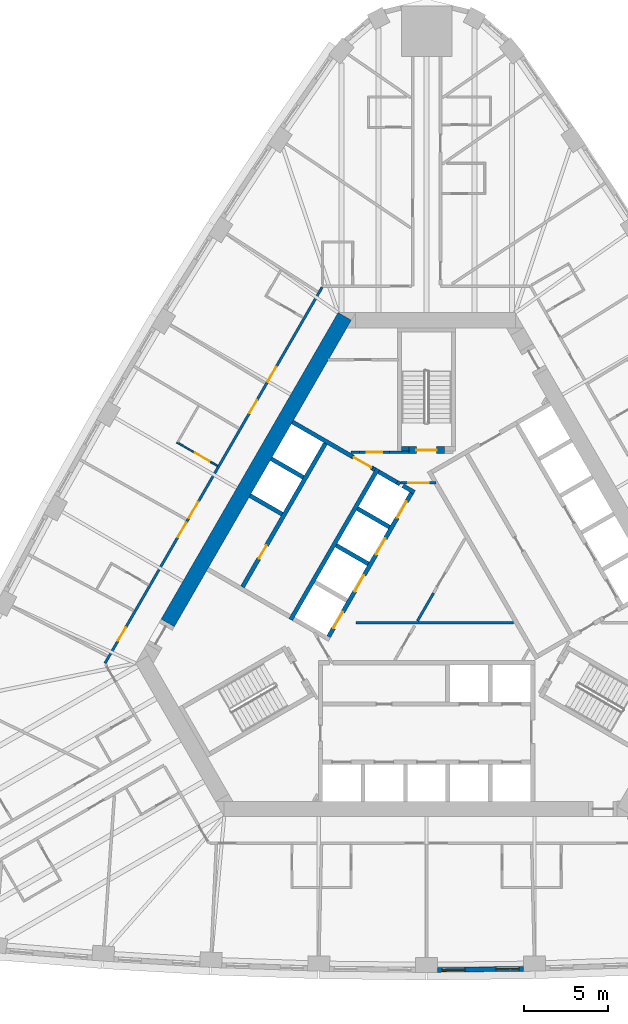
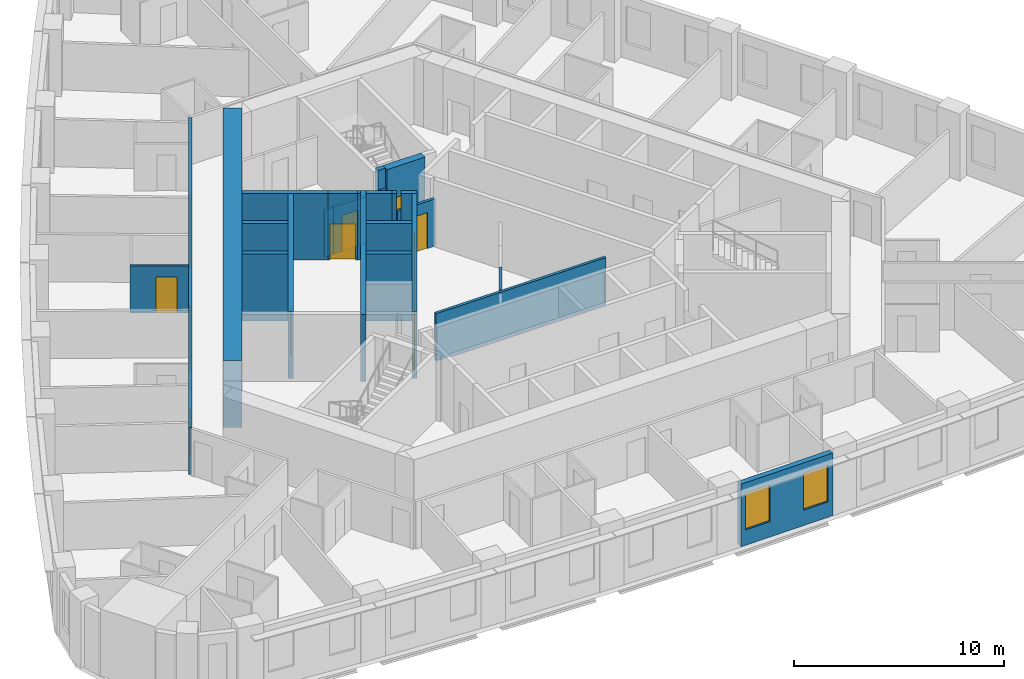
# One storey, part 6 of 13: 25 walls, 15 doors, 2 windows, 17 openings.
"""IFC4 building model written with IfcOpenShell, lengths in metres."""

from ifc_helpers import new_model, si_unit, direction, frame, frame_2d, origin, place, context, subcontext, project, spatial, polyline, rectangle, outline, extrude, material, layer, layer_set, type_object, element, fill, save


model = new_model("IFC4")

# Units and contexts
model_context = context("Model", 3, precision=1e-05, world=origin(), true_north=direction((0.0, 1.0)))
body_context = subcontext(model_context, "Body", "Model", "MODEL_VIEW")
ifc_project = project(units=[si_unit("LENGTHUNIT", "METRE"), si_unit("AREAUNIT", "SQUARE_METRE"), si_unit("VOLUMEUNIT", "CUBIC_METRE"), si_unit("PLANEANGLEUNIT", "RADIAN"), si_unit("MASSUNIT", "GRAM", prefix="KILO")], contexts=[model_context])

# Site, building, storey
site_placement = place(None, origin())
site = spatial("IfcSite", under=ifc_project, at=site_placement, CompositionType="ELEMENT")
building_placement = place(site_placement, origin())
building = spatial("IfcBuilding", under=site, at=building_placement, Name="Mestral Congress Tower", CompositionType="ELEMENT")
storey_placement = place(building_placement, frame((0.0, 0.0, 95.39990234375)))
storey = spatial("IfcBuildingStorey", under=building, at=storey_placement, Name="L22", CompositionType="ELEMENT", Elevation=95.39990234375)

# Walls
ifc_material_1 = material(Name="Fire-rated board partition")
ifc_layer_1 = layer(ifc_material_1, 0.14990234375)
ifc_layer_set_1 = layer_set([ifc_layer_1], Name="Fire-rated board partition")
wall_type_1 = type_object("IfcWallType", Name="Core partition 150", PredefinedType="PARTITIONING", material=ifc_layer_set_1)
wall_1_placement = place(storey_placement, frame((-3.99658203125, 8.625244140625, 0.0), z_axis=(0.0, 0.0, 1.0), x_axis=(-1.0, 0.0, 0.0)))
element("IfcWall", 1, at=wall_1_placement, inside=storey, type_object=wall_type_1, Name="L22 core wall", PredefinedType="PARTITIONING", context=body_context, shape_type="SweptSolid", body=[
    extrude(rectangle(XDim=0.502197265625, YDim=0.14990234375, at=frame_2d((0.2509765625, 0.0))), origin(), (0.0, 0.0, 1.0), 2.75),
])
wall_2_placement = place(storey_placement, frame((-2.1962890625, 8.62548828125, 0.0), z_axis=(0.0, 0.0, 1.0), x_axis=(1.0, 0.0, 0.0)))
element("IfcWall", 2, at=wall_2_placement, inside=storey, type_object=wall_type_1, Name="L22 core wall", PredefinedType="PARTITIONING", context=body_context, shape_type="SweptSolid", body=[
    extrude(rectangle(XDim=1.146240234375, YDim=0.14990234375, at=frame_2d((0.5732421875, 0.0))), origin(), (0.0, 0.0, 1.0), 2.75),
])
wall_3_placement = place(storey_placement, frame((-4.199951171875, -1.5, 0.0), z_axis=(0.0, 0.0, 1.0), x_axis=(1.0, 0.0, 0.0)))
element("IfcWall", 3, at=wall_3_placement, inside=storey, type_object=wall_type_1, Name="L22 core wall", PredefinedType="PARTITIONING", context=body_context, shape_type="SweptSolid", body=[
    extrude(rectangle(XDim=9.359375, YDim=0.14990234375, at=frame_2d((4.6796875, 0.0))), origin(), (0.0, 0.0, 1.0), 2.75),
])
wall_4_placement = place(storey_placement, frame((-0.54443359375, -1.393310546875, 0.0), z_axis=(0.0, 0.0, 1.0), x_axis=(0.499928740635, 0.866066541489, 0.0)))
element("IfcWall", 4, at=wall_4_placement, inside=storey, type_object=wall_type_1, Name="L22 core wall", PredefinedType="PARTITIONING", context=body_context, shape_type="SweptSolid", body=[
    extrude(rectangle(XDim=1.912353515625, YDim=0.14990234375, at=frame_2d((0.9560546875, 0.0))), origin(), (0.0, 0.0, 1.0), 2.75),
])

# Wall, opening, door
wall_5_placement = place(storey_placement, frame((-2.1962890625, 8.625, 0.0), z_axis=(0.0, 0.0, 1.0), x_axis=(-1.0, 0.0, 0.0)))
wall_5 = element("IfcWall", 5, at=wall_5_placement, inside=storey, type_object=wall_type_1, Name="L22 door wall", PredefinedType="PARTITIONING", context=body_context, shape_type="SweptSolid", body=[
    extrude(rectangle(XDim=1.800048828125, YDim=0.14990234375, at=frame_2d((0.89990234375, 0.0))), origin(), (0.0, 0.0, 1.0), 2.75),
])
opening_1_placement = place(wall_5_placement, frame((0.449951171875, 0.0, 0.0)))
opening_1 = element("IfcOpeningElement", 6, at=opening_1_placement, cuts=wall_5, Name="Opening TD2", PredefinedType="OPENING", context=body_context, shape_type="SweptSolid", body=[
    extrude(rectangle(XDim=0.89990234375, YDim=2.10009765625, at=frame_2d((0.449951171875, 1.050048828125))), frame((0.0, 0.0849609375, 0.0), z_axis=(0.0, -1.0, 0.0), x_axis=(1.0, 0.0, 0.0)), (0.0, 0.0, 1.0), 0.169921875),
])
ifc_material_2 = material(Name="Fire-rated steel door set", Category="steel")
door_type_1 = type_object("IfcDoorType", Name="Core door SR 900x2100", OperationType="SINGLE_SWING_LEFT", PredefinedType="DOOR", material=ifc_material_2)
door_1_placement = place(opening_1_placement, origin())
door_1 = element("IfcDoor", 7, at=door_1_placement, inside=storey, type_object=door_type_1, Name="Door TD2", OperationType="SINGLE_SWING_LEFT", OverallHeight=2.10009765625, OverallWidth=0.89990234375, PredefinedType="DOOR", context=body_context, shape_type="SweptSolid", body=[
    extrude(rectangle(XDim=0.89990234375, YDim=2.10009765625, at=frame_2d((0.449951171875, 1.050048828125))), frame((0.0, 0.02490234375, 0.0), z_axis=(0.0, -1.0, 0.0), x_axis=(1.0, 0.0, 0.0)), (0.0, 0.0, 1.0), 0.050048828125),
])
fill(opening_1, door_1)

wall_6_placement = place(storey_placement, frame((-1.534423828125, 6.800048828125, 0.0), z_axis=(0.0, 0.0, 1.0), x_axis=(1.0, 0.0, 0.0)))
wall_6 = element("IfcWall", 8, at=wall_6_placement, inside=storey, type_object=wall_type_1, Name="L22 door wall", PredefinedType="PARTITIONING", context=body_context, shape_type="SweptSolid", body=[
    extrude(rectangle(XDim=2.099853515625, YDim=0.14990234375, at=frame_2d((1.0498046875, 0.0))), origin(), (0.0, 0.0, 1.0), 2.75),
])
opening_2_placement = place(wall_6_placement, frame((0.449951171875, 0.0, 0.0)))
opening_2 = element("IfcOpeningElement", 9, at=opening_2_placement, cuts=wall_6, Name="Opening CD2-FF", PredefinedType="OPENING", context=body_context, shape_type="SweptSolid", body=[
    extrude(rectangle(XDim=1.199951171875, YDim=2.10009765625, at=frame_2d((0.60009765625, 1.050048828125))), frame((0.0, 0.0849609375, 0.0), z_axis=(0.0, -1.0, 0.0), x_axis=(1.0, 0.0, 0.0)), (0.0, 0.0, 1.0), 0.169921875),
])
door_type_2 = type_object("IfcDoorType", Name="Core door CD 1200x2100", OperationType="SINGLE_SWING_LEFT", PredefinedType="DOOR", material=ifc_material_2)
door_2_placement = place(opening_2_placement, origin())
door_2 = element("IfcDoor", 10, at=door_2_placement, inside=storey, type_object=door_type_2, Name="Door CD2-FF", OperationType="SINGLE_SWING_LEFT", OverallHeight=2.10009765625, OverallWidth=1.199951171875, PredefinedType="DOOR", context=body_context, shape_type="SweptSolid", body=[
    extrude(rectangle(XDim=1.199951171875, YDim=2.10009765625, at=frame_2d((0.60009765625, 1.050048828125))), frame((0.0, 0.02490234375, 0.0), z_axis=(0.0, -1.0, 0.0), x_axis=(1.0, 0.0, 0.0)), (0.0, 0.0, 1.0), 0.050048828125),
])
fill(opening_2, door_2)

# Wall
ifc_material_3 = material(Name="Concrete C60/75", Category="concrete")
ifc_layer_2 = layer(ifc_material_3, 0.89990234375)
ifc_layer_set_2 = layer_set([ifc_layer_2], Name="Concrete C60/75")
wall_type_2 = type_object("IfcWallType", Name="Core wall RC 900", PredefinedType="SOLIDWALL", material=ifc_layer_set_2)
wall_7_placement = place(storey_placement, frame((-15.359619140625, -1.50341796875, 0.0), z_axis=(0.0, 0.0, 1.0), x_axis=(0.50000389221, 0.866023156604, 0.0)))
element("IfcWall", 11, at=wall_7_placement, inside=storey, type_object=wall_type_2, Name="L22 core wall", PredefinedType="SOLIDWALL", context=body_context, shape_type="SweptSolid", body=[
    extrude(rectangle(XDim=21.000244140625, YDim=0.89990234375, at=frame_2d((10.5, 0.0))), origin(), (0.0, 0.0, 1.0), 3.900146484375),
])

# Wall, openings, windows
ifc_material_4 = material(Name="Precast concrete C40/50 with limestone facing", Category="masonry")
ifc_layer_3 = layer(ifc_material_4, 0.2900390625)
ifc_layer_set_3 = layer_set([ifc_layer_3], Name="Precast concrete C40/50 with limestone facing")
wall_type_3 = type_object("IfcWallType", Name="Facade stone wall 290", PredefinedType="SOLIDWALL", material=ifc_layer_set_3)
wall_8_placement = place(storey_placement, frame((0.6533203125, -22.091064453125, 0.0), z_axis=(0.0, 0.0, 1.0), x_axis=(0.999931786565, 0.011679992145, 0.0)))
wall_8 = element("IfcWall", 12, at=wall_8_placement, inside=storey, type_object=wall_type_3, Name="Facade wall F0-04", PredefinedType="SOLIDWALL", context=body_context, shape_type="SweptSolid", body=[
    extrude(rectangle(XDim=5.10009765625, YDim=0.2900390625, at=frame_2d((2.550048828125, 0.0))), origin(), (0.0, 0.0, 1.0), 3.650146484375),
])
opening_3_placement = place(wall_8_placement, frame((0.272705078125, 0.0, 0.89990234375)))
opening_3 = element("IfcOpeningElement", 13, at=opening_3_placement, cuts=wall_8, Name="Opening W2", PredefinedType="OPENING", context=body_context, shape_type="SweptSolid", body=[
    extrude(rectangle(XDim=1.35009765625, YDim=2.14990234375, at=frame_2d((0.675048828125, 1.074951171875))), frame((0.0, 0.155029296875, 0.0), z_axis=(0.0, -1.0, 0.0), x_axis=(1.0, 0.0, 0.0)), (0.0, 0.0, 1.0), 0.31005859375),
])
opening_4_placement = place(wall_8_placement, frame((3.477783203125, 0.0, 0.89990234375)))
opening_4 = element("IfcOpeningElement", 14, at=opening_4_placement, cuts=wall_8, Name="Opening W2", PredefinedType="OPENING", context=body_context, shape_type="SweptSolid", body=[
    extrude(rectangle(XDim=1.35009765625, YDim=2.14990234375, at=frame_2d((0.675048828125, 1.074951171875))), frame((0.0, 0.155029296875, 0.0), z_axis=(0.0, -1.0, 0.0), x_axis=(1.0, 0.0, 0.0)), (0.0, 0.0, 1.0), 0.31005859375),
])
ifc_material_5 = material(Name="Clear low-emissivity double glazing", Category="glass")
window_type = type_object("IfcWindowType", Name="Facade punched window 1350 x 2150 sill 900", PartitioningType="DOUBLE_PANEL_VERTICAL", PredefinedType="WINDOW", material=ifc_material_5)
window_1_placement = place(opening_3_placement, origin())
window_1 = element("IfcWindow", 15, at=window_1_placement, inside=storey, type_object=window_type, Name="Window F0-04a", OverallHeight=2.14990234375, OverallWidth=1.35009765625, PartitioningType="DOUBLE_PANEL_VERTICAL", PredefinedType="WINDOW", context=body_context, shape_type="SweptSolid", body=[
    extrude(rectangle(XDim=1.35009765625, YDim=2.14990234375, at=frame_2d((0.675048828125, 1.074951171875))), frame((0.0, 0.01513671875, 0.0), z_axis=(0.0, -1.0, 0.0), x_axis=(1.0, 0.0, 0.0)), (0.0, 0.0, 1.0), 0.06005859375),
])
fill(opening_3, window_1)
window_2_placement = place(opening_4_placement, origin())
window_2 = element("IfcWindow", 16, at=window_2_placement, inside=storey, type_object=window_type, Name="Window F0-04b", OverallHeight=2.14990234375, OverallWidth=1.35009765625, PartitioningType="DOUBLE_PANEL_VERTICAL", PredefinedType="WINDOW", context=body_context, shape_type="SweptSolid", body=[
    extrude(rectangle(XDim=1.35009765625, YDim=2.14990234375, at=frame_2d((0.675048828125, 1.074951171875))), frame((0.0, 0.01513671875, 0.0), z_axis=(0.0, -1.0, 0.0), x_axis=(1.0, 0.0, 0.0)), (0.0, 0.0, 1.0), 0.06005859375),
])
fill(opening_4, window_2)

# Wall, opening, door
ifc_material_6 = material(Name="Gypsum board partition on metal studs with mineral wool", Category="composite")
ifc_layer_4 = layer(ifc_material_6, 0.10009765625)
ifc_layer_set_4 = layer_set([ifc_layer_4], Name="Gypsum board partition on metal studs with mineral wool")
wall_type_4 = type_object("IfcWallType", Name="Hotel partition wall 100", PredefinedType="PARTITIONING", material=ifc_layer_set_4)
wall_9_placement = place(storey_placement, frame((-14.830322265625, 9.213134765625, 0.0), z_axis=(0.0, 0.0, 1.0), x_axis=(0.866034573852, -0.49998411664, 0.0)))
wall_9 = element("IfcWall", 17, at=wall_9_placement, inside=storey, type_object=wall_type_4, Name="L22-h-pod22a", PredefinedType="PARTITIONING", context=body_context, shape_type="SweptSolid", body=[
    extrude(rectangle(XDim=2.7998046875, YDim=0.10009765625, at=frame_2d((1.39990234375, 0.0))), origin(), (0.0, 0.0, 1.0), 2.75),
])
opening_5_placement = place(wall_9_placement, frame((1.25, 0.0, 0.0)))
opening_5 = element("IfcOpeningElement", 18, at=opening_5_placement, cuts=wall_9, Name="Opening H07-042", PredefinedType="OPENING", context=body_context, shape_type="SweptSolid", body=[
    extrude(rectangle(XDim=1.0, YDim=2.10009765625, at=frame_2d((0.5, 1.050048828125))), frame((0.0, 0.06005859375, 0.0), z_axis=(0.0, -1.0, 0.0), x_axis=(1.0, 0.0, 0.0)), (0.0, 0.0, 1.0), 0.1201171875),
])
ifc_material_7 = material(Name="Timber veneer door leaf in timber frame", Category="wood")
door_type_3 = type_object("IfcDoorType", Name="Accessible bathroom door 1000", OperationType="SINGLE_SWING_LEFT", PredefinedType="DOOR", material=ifc_material_7)
door_3_placement = place(opening_5_placement, origin())
door_3 = element("IfcDoor", 19, at=door_3_placement, inside=storey, type_object=door_type_3, Name="L22-h-d042", OperationType="SINGLE_SWING_LEFT", OverallHeight=2.10009765625, OverallWidth=1.0, PredefinedType="DOOR", context=body_context, shape_type="SweptSolid", body=[
    extrude(rectangle(XDim=1.0, YDim=2.10009765625, at=frame_2d((0.5, 1.050048828125))), frame((0.0, 0.02490234375, 0.0), z_axis=(0.0, -1.0, 0.0), x_axis=(1.0, 0.0, 0.0)), (0.0, 0.0, 1.0), 0.050048828125),
])
fill(opening_5, door_3)

# Wall, openings, doors
ifc_layer_5 = layer(ifc_material_6, 0.14990234375)
ifc_layer_set_5 = layer_set([ifc_layer_5], Name="Gypsum board partition on metal studs with mineral wool")
wall_type_5 = type_object("IfcWallType", Name="Hotel partition wall 150", PredefinedType="PARTITIONING", material=ifc_layer_set_5)
wall_10_placement = place(storey_placement, frame((-19.081298828125, -3.89990234375, 0.0), z_axis=(0.0, 0.0, 1.0), x_axis=(0.499998313975, 0.866026377209, 0.0)))
wall_10 = element("IfcWall", 20, at=wall_10_placement, inside=storey, type_object=wall_type_5, Name="L22-h-cw08", PredefinedType="PARTITIONING", context=body_context, shape_type="SweptSolid", body=[
    extrude(rectangle(XDim=25.76611328125, YDim=0.14990234375, at=frame_2d((12.883056640625, 0.0))), origin(), (0.0, 0.0, 1.0), 2.75),
])
opening_6_placement = place(wall_10_placement, frame((19.30615234375, 0.0, 0.0)))
opening_6 = element("IfcOpeningElement", 21, at=opening_6_placement, cuts=wall_10, Name="Opening H07-038", PredefinedType="OPENING", context=body_context, shape_type="SweptSolid", body=[
    extrude(rectangle(XDim=1.0, YDim=2.10009765625, at=frame_2d((0.5, 1.050048828125))), frame((0.0, 0.0849609375, 0.0), z_axis=(0.0, -1.0, 0.0), x_axis=(1.0, 0.0, 0.0)), (0.0, 0.0, 1.0), 0.169921875),
])
opening_7_placement = place(wall_10_placement, frame((17.143798828125, 0.0, 0.0)))
opening_7 = element("IfcOpeningElement", 22, at=opening_7_placement, cuts=wall_10, Name="Opening H07-040", PredefinedType="OPENING", context=body_context, shape_type="SweptSolid", body=[
    extrude(rectangle(XDim=0.89990234375, YDim=2.10009765625, at=frame_2d((0.449951171875, 1.050048828125))), frame((0.0, 0.0849609375, 0.0), z_axis=(0.0, -1.0, 0.0), x_axis=(1.0, 0.0, 0.0)), (0.0, 0.0, 1.0), 0.169921875),
])
opening_8_placement = place(wall_10_placement, frame((9.955078125, 0.0, 0.0)))
opening_8 = element("IfcOpeningElement", 23, at=opening_8_placement, cuts=wall_10, Name="Opening H07-041", PredefinedType="OPENING", context=body_context, shape_type="SweptSolid", body=[
    extrude(rectangle(XDim=1.10009765625, YDim=2.10009765625, at=frame_2d((0.550048828125, 1.050048828125))), frame((0.0, 0.0849609375, 0.0), z_axis=(0.0, -1.0, 0.0), x_axis=(1.0, 0.0, 0.0)), (0.0, 0.0, 1.0), 0.169921875),
])
opening_9_placement = place(wall_10_placement, frame((8.647705078125, 0.0, 0.0)))
opening_9 = element("IfcOpeningElement", 24, at=opening_9_placement, cuts=wall_10, Name="Opening H07-043", PredefinedType="OPENING", context=body_context, shape_type="SweptSolid", body=[
    extrude(rectangle(XDim=1.0, YDim=2.10009765625, at=frame_2d((0.5, 1.050048828125))), frame((0.0, 0.0849609375, 0.0), z_axis=(0.0, -1.0, 0.0), x_axis=(1.0, 0.0, 0.0)), (0.0, 0.0, 1.0), 0.169921875),
])
opening_10_placement = place(wall_10_placement, frame((1.553466796875, 0.0, 0.0)))
opening_10 = element("IfcOpeningElement", 25, at=opening_10_placement, cuts=wall_10, Name="Opening H07-045", PredefinedType="OPENING", context=body_context, shape_type="SweptSolid", body=[
    extrude(rectangle(XDim=0.89990234375, YDim=2.10009765625, at=frame_2d((0.449951171875, 1.050048828125))), frame((0.0, 0.0849609375, 0.0), z_axis=(0.0, -1.0, 0.0), x_axis=(1.0, 0.0, 0.0)), (0.0, 0.0, 1.0), 0.169921875),
])
ifc_material_8 = material(Name="Timber veneer door leaf in metal frame", Category="wood")
door_type_4 = type_object("IfcDoorType", Name="Accessible room entrance door 1100", OperationType="SINGLE_SWING_LEFT", PredefinedType="DOOR", material=ifc_material_8)
door_4_placement = place(opening_8_placement, origin())
door_4 = element("IfcDoor", 26, at=door_4_placement, inside=storey, type_object=door_type_4, Name="L22-h-d041", OperationType="SINGLE_SWING_LEFT", OverallHeight=2.10009765625, OverallWidth=1.10009765625, PredefinedType="DOOR", context=body_context, shape_type="SweptSolid", body=[
    extrude(rectangle(XDim=1.10009765625, YDim=2.10009765625, at=frame_2d((0.550048828125, 1.050048828125))), frame((0.0, 0.02490234375, 0.0), z_axis=(0.0, -1.0, 0.0), x_axis=(1.0, 0.0, 0.0)), (0.0, 0.0, 1.0), 0.050048828125),
])
fill(opening_8, door_4)
door_type_5 = type_object("IfcDoorType", Name="Guest room entrance door 1000", OperationType="SINGLE_SWING_LEFT", PredefinedType="DOOR", material=ifc_material_8)
door_5_placement = place(opening_6_placement, origin())
door_5 = element("IfcDoor", 27, at=door_5_placement, inside=storey, type_object=door_type_5, Name="L22-h-d038", OperationType="SINGLE_SWING_LEFT", OverallHeight=2.10009765625, OverallWidth=1.0, PredefinedType="DOOR", context=body_context, shape_type="SweptSolid", body=[
    extrude(rectangle(XDim=1.0, YDim=2.10009765625, at=frame_2d((0.5, 1.050048828125))), frame((0.0, 0.02490234375, 0.0), z_axis=(0.0, -1.0, 0.0), x_axis=(1.0, 0.0, 0.0)), (0.0, 0.0, 1.0), 0.050048828125),
])
fill(opening_6, door_5)
door_6_placement = place(opening_9_placement, origin())
door_6 = element("IfcDoor", 28, at=door_6_placement, inside=storey, type_object=door_type_5, Name="L22-h-d043", OperationType="SINGLE_SWING_RIGHT", OverallHeight=2.10009765625, OverallWidth=1.0, PredefinedType="DOOR", context=body_context, shape_type="SweptSolid", body=[
    extrude(rectangle(XDim=1.0, YDim=2.10009765625, at=frame_2d((0.5, 1.050048828125))), frame((0.0, 0.02490234375, 0.0), z_axis=(0.0, -1.0, 0.0), x_axis=(1.0, 0.0, 0.0)), (0.0, 0.0, 1.0), 0.050048828125),
])
fill(opening_9, door_6)
door_type_6 = type_object("IfcDoorType", Name="Service room door 900", OperationType="SINGLE_SWING_LEFT", PredefinedType="DOOR", material=ifc_material_8)
door_7_placement = place(opening_7_placement, origin())
door_7 = element("IfcDoor", 29, at=door_7_placement, inside=storey, type_object=door_type_6, Name="L22-h-d040", OperationType="SINGLE_SWING_LEFT", OverallHeight=2.10009765625, OverallWidth=0.89990234375, PredefinedType="DOOR", context=body_context, shape_type="SweptSolid", body=[
    extrude(rectangle(XDim=0.89990234375, YDim=2.10009765625, at=frame_2d((0.449951171875, 1.050048828125))), frame((0.0, 0.02490234375, 0.0), z_axis=(0.0, -1.0, 0.0), x_axis=(1.0, 0.0, 0.0)), (0.0, 0.0, 1.0), 0.050048828125),
])
fill(opening_7, door_7)
door_8_placement = place(opening_10_placement, origin())
door_8 = element("IfcDoor", 30, at=door_8_placement, inside=storey, type_object=door_type_6, Name="L22-h-d045", OperationType="SINGLE_SWING_RIGHT", OverallHeight=2.10009765625, OverallWidth=0.89990234375, PredefinedType="DOOR", context=body_context, shape_type="SweptSolid", body=[
    extrude(rectangle(XDim=0.89990234375, YDim=2.10009765625, at=frame_2d((0.449951171875, 1.050048828125))), frame((0.0, 0.02490234375, 0.0), z_axis=(0.0, -1.0, 0.0), x_axis=(1.0, 0.0, 0.0)), (0.0, 0.0, 1.0), 0.050048828125),
])
fill(opening_10, door_8)

# Walls
ifc_layer_6 = layer(ifc_material_3, 0.25)
ifc_layer_set_6 = layer_set([ifc_layer_6], Name="Concrete C60/75")
wall_type_6 = type_object("IfcWallType", Name="Shaft wall RC 250", PredefinedType="SOLIDWALL", material=ifc_layer_set_6)
wall_11_placement = place(storey_placement, frame((-8.06005859375, -1.310546875, 0.0), z_axis=(0.0, 0.0, 1.0), x_axis=(0.50000273126, 0.866023826885, 0.0)))
element("IfcWall", 31, at=wall_11_placement, inside=storey, type_object=wall_type_6, Name="L22 core wall", PredefinedType="SOLIDWALL", context=body_context, shape_type="SweptSolid", body=[
    extrude(rectangle(XDim=10.330078125, YDim=0.25, at=frame_2d((5.1650390625, 0.0))), origin(), (0.0, 0.0, 1.0), 3.900146484375),
])
wall_12_placement = place(storey_placement, frame((-1.75830078125, 6.834716796875, 0.0), z_axis=(0.0, 0.0, 1.0), x_axis=(0.865982457891, -0.500074377092, 0.0)))
element("IfcWall", 32, at=wall_12_placement, inside=storey, type_object=wall_type_6, Name="L22 core wall", PredefinedType="SOLIDWALL", context=body_context, shape_type="SweptSolid", body=[
    extrude(rectangle(XDim=0.2001953125, YDim=0.25, at=frame_2d((0.10009765625, 0.0))), origin(), (0.0, 0.0, 1.0), 3.900146484375),
])
wall_13_placement = place(storey_placement, frame((-1.760009765625, 6.835693359375, 0.0), z_axis=(0.0, 0.0, 1.0), x_axis=(-0.865952863304, 0.500125622755, 0.0)))
element("IfcWall", 33, at=wall_13_placement, inside=storey, type_object=wall_type_6, Name="L22 core wall", PredefinedType="SOLIDWALL", context=body_context, shape_type="SweptSolid", body=[
    extrude(rectangle(XDim=1.258056640625, YDim=0.25, at=frame_2d((0.62890625, 0.0))), origin(), (0.0, 0.0, 1.0), 3.900146484375),
])
wall_14_placement = place(storey_placement, frame((-0.7275390625, 6.23974609375, 0.0), z_axis=(0.0, 0.0, 1.0), x_axis=(-0.865955664968, 0.500120771724, 0.0)))
element("IfcWall", 34, at=wall_14_placement, inside=storey, type_object=wall_type_6, Name="L22 core wall", PredefinedType="SOLIDWALL", context=body_context, shape_type="SweptSolid", body=[
    extrude(rectangle(XDim=0.778076171875, YDim=0.25, at=frame_2d((0.38916015625, 0.0))), origin(), (0.0, 0.0, 1.0), 3.900146484375),
])
for number, where, z_axis, x_axis, name in (
    (35, (-2.2041015625, 4.182373046875, 0.0), (0.0, 0.0, 1.0), (-0.866008176907, 0.50002983664, 0.0), "L22 core wall"),
    (36, (-5.369384765625, 3.10009765625, 0.0), (0.0, 0.0, 1.0), (0.866008176907, -0.50002983664, 0.0), "L22 core wall"),
):
    element("IfcWall", number, at=place(storey_placement, frame(where, z_axis=z_axis, x_axis=x_axis)), inside=storey, type_object=wall_type_6, Name=name, PredefinedType="SOLIDWALL", context=body_context, shape_type="SweptSolid", body=[
        extrude(rectangle(XDim=2.199951171875, YDim=0.25, at=frame_2d((1.10009765625, 0.0))), origin(), (0.0, 0.0, 1.0), 3.900146484375),
    ])
wall_15_placement = place(storey_placement, origin())
element("IfcWall", 37, at=wall_15_placement, inside=storey, type_object=wall_type_6, Name="L22 core wall", PredefinedType="SOLIDWALL", context=body_context, shape_type="SweptSolid", body=[
    extrude(outline(polyline([(-3.12841796875, 7.4814453125), (-3.2587890625, 7.556640625), (-3.1337890625, 7.773193359375), (-3.00341796875, 7.697998046875), (-3.12841796875, 7.4814453125)])), origin(), (0.0, 0.0, 1.0), 3.900146484375),
])
for number, where, z_axis, x_axis, name in (
    (38, (-8.57373046875, 4.949951171875, 0.0), (0.0, 0.0, 1.0), (-0.866008176907, 0.50002983664, 0.0), "L22 core wall"),
    (39, (-7.313720703125, 7.13232421875, 0.0), (0.0, 0.0, 1.0), (-0.866008176907, 0.50002983664, 0.0), "L22 core wall"),
):
    element("IfcWall", number, at=place(storey_placement, frame(where, z_axis=z_axis, x_axis=x_axis)), inside=storey, type_object=wall_type_6, Name=name, PredefinedType="SOLIDWALL", context=body_context, shape_type="SweptSolid", body=[
        extrude(rectangle(XDim=2.199951171875, YDim=0.25, at=frame_2d((1.10009765625, 0.0))), origin(), (0.0, 0.0, 1.0), 3.900146484375),
    ])
wall_16_placement = place(storey_placement, frame((-7.958984375, 10.414794921875, 0.0), z_axis=(0.0, 0.0, 1.0), x_axis=(0.866020958405, -0.500007699544, 0.0)))
element("IfcWall", 40, at=wall_16_placement, inside=storey, type_object=wall_type_6, Name="L22 core wall", PredefinedType="SOLIDWALL", context=body_context, shape_type="SweptSolid", body=[
    extrude(rectangle(XDim=4.099609375, YDim=0.25, at=frame_2d((2.0498046875, 0.0))), origin(), (0.0, 0.0, 1.0), 3.900146484375),
])

# Wall, opening, door
wall_17_placement = place(storey_placement, frame((-6.0078125, 9.14404296875, 0.0), z_axis=(0.0, 0.0, 1.0), x_axis=(-0.500006956611, -0.866021387346, 0.0)))
wall_17 = element("IfcWall", 41, at=wall_17_placement, inside=storey, type_object=wall_type_6, Name="L22 door wall", PredefinedType="SOLIDWALL", context=body_context, shape_type="SweptSolid", body=[
    extrude(rectangle(XDim=9.829833984375, YDim=0.25, at=frame_2d((4.9150390625, 0.0))), origin(), (0.0, 0.0, 1.0), 3.900146484375),
])
opening_11_placement = place(wall_17_placement, frame((6.985107421875, 0.0, 0.0)))
opening_11 = element("IfcOpeningElement", 42, at=opening_11_placement, cuts=wall_17, Name="Opening SR-NWA2", PredefinedType="OPENING", context=body_context, shape_type="SweptSolid", body=[
    extrude(rectangle(XDim=0.89990234375, YDim=2.10009765625, at=frame_2d((0.449951171875, 1.050048828125))), frame((0.0, 0.135009765625, 0.0), z_axis=(0.0, -1.0, 0.0), x_axis=(1.0, 0.0, 0.0)), (0.0, 0.0, 1.0), 0.27001953125),
])
door_9_placement = place(opening_11_placement, origin())
door_9 = element("IfcDoor", 43, at=door_9_placement, inside=storey, type_object=door_type_1, Name="Door SR-NWA2", OperationType="SINGLE_SWING_LEFT", OverallHeight=2.10009765625, OverallWidth=0.89990234375, PredefinedType="DOOR", context=body_context, shape_type="SweptSolid", body=[
    extrude(rectangle(XDim=0.89990234375, YDim=2.10009765625, at=frame_2d((0.449951171875, 1.050048828125))), frame((0.0, 0.02490234375, 0.0), z_axis=(0.0, -1.0, 0.0), x_axis=(1.0, 0.0, 0.0)), (0.0, 0.0, 1.0), 0.050048828125),
])
fill(opening_11, door_9)

# Wall, openings, doors
wall_18_placement = place(storey_placement, frame((-0.898193359375, 6.194091796875, 0.0), z_axis=(0.0, 0.0, 1.0), x_axis=(-0.499996202215, -0.866027596426, 0.0)))
wall_18 = element("IfcWall", 44, at=wall_18_placement, inside=storey, type_object=wall_type_6, Name="L22 door wall", PredefinedType="SOLIDWALL", context=body_context, shape_type="SweptSolid", body=[
    extrude(rectangle(XDim=9.830078125, YDim=0.25, at=frame_2d((4.9150390625, 0.0))), origin(), (0.0, 0.0, 1.0), 3.900146484375),
])
opening_12_placement = place(wall_18_placement, frame((0.5849609375, 0.0, 0.0)))
opening_12 = element("IfcOpeningElement", 45, at=opening_12_placement, cuts=wall_18, Name="Opening LD-NWB1", PredefinedType="OPENING", context=body_context, shape_type="SweptSolid", body=[
    extrude(rectangle(XDim=1.10009765625, YDim=2.10009765625, at=frame_2d((0.550048828125, 1.050048828125))), frame((0.0, 0.135009765625, 0.0), z_axis=(0.0, -1.0, 0.0), x_axis=(1.0, 0.0, 0.0)), (0.0, 0.0, 1.0), 0.27001953125),
])
opening_13_placement = place(wall_18_placement, frame((3.10498046875, 0.0, 0.0)))
opening_13 = element("IfcOpeningElement", 46, at=opening_13_placement, cuts=wall_18, Name="Opening LD-NWB2", PredefinedType="OPENING", context=body_context, shape_type="SweptSolid", body=[
    extrude(rectangle(XDim=1.10009765625, YDim=2.10009765625, at=frame_2d((0.550048828125, 1.050048828125))), frame((0.0, 0.135009765625, 0.0), z_axis=(0.0, -1.0, 0.0), x_axis=(1.0, 0.0, 0.0)), (0.0, 0.0, 1.0), 0.27001953125),
])
opening_14_placement = place(wall_18_placement, frame((5.625, 0.0, 0.0)))
opening_14 = element("IfcOpeningElement", 47, at=opening_14_placement, cuts=wall_18, Name="Opening LD-NWB3", PredefinedType="OPENING", context=body_context, shape_type="SweptSolid", body=[
    extrude(rectangle(XDim=1.10009765625, YDim=2.10009765625, at=frame_2d((0.550048828125, 1.050048828125))), frame((0.0, 0.135009765625, 0.0), z_axis=(0.0, -1.0, 0.0), x_axis=(1.0, 0.0, 0.0)), (0.0, 0.0, 1.0), 0.27001953125),
])
opening_15_placement = place(wall_18_placement, frame((8.14501953125, 0.0, 0.0)))
opening_15 = element("IfcOpeningElement", 48, at=opening_15_placement, cuts=wall_18, Name="Opening LD-NWB4", PredefinedType="OPENING", context=body_context, shape_type="SweptSolid", body=[
    extrude(rectangle(XDim=1.10009765625, YDim=2.10009765625, at=frame_2d((0.550048828125, 1.050048828125))), frame((0.0, 0.135009765625, 0.0), z_axis=(0.0, -1.0, 0.0), x_axis=(1.0, 0.0, 0.0)), (0.0, 0.0, 1.0), 0.27001953125),
])
door_type_7 = type_object("IfcDoorType", Name="Core door LD 1100x2100", OperationType="DOUBLE_DOOR_SLIDING", PredefinedType="DOOR", material=ifc_material_2)
door_10_placement = place(opening_12_placement, origin())
door_10 = element("IfcDoor", 49, at=door_10_placement, inside=storey, type_object=door_type_7, Name="Door LD-NWB1", OperationType="DOUBLE_DOOR_SLIDING", OverallHeight=2.10009765625, OverallWidth=1.10009765625, PredefinedType="DOOR", context=body_context, shape_type="SweptSolid", body=[
    extrude(rectangle(XDim=1.10009765625, YDim=2.10009765625, at=frame_2d((0.550048828125, 1.050048828125))), frame((0.0, 0.02490234375, 0.0), z_axis=(0.0, -1.0, 0.0), x_axis=(1.0, 0.0, 0.0)), (0.0, 0.0, 1.0), 0.050048828125),
])
fill(opening_12, door_10)
door_11_placement = place(opening_13_placement, origin())
door_11 = element("IfcDoor", 50, at=door_11_placement, inside=storey, type_object=door_type_7, Name="Door LD-NWB2", OperationType="DOUBLE_DOOR_SLIDING", OverallHeight=2.10009765625, OverallWidth=1.10009765625, PredefinedType="DOOR", context=body_context, shape_type="SweptSolid", body=[
    extrude(rectangle(XDim=1.10009765625, YDim=2.10009765625, at=frame_2d((0.550048828125, 1.050048828125))), frame((0.0, 0.02490234375, 0.0), z_axis=(0.0, -1.0, 0.0), x_axis=(1.0, 0.0, 0.0)), (0.0, 0.0, 1.0), 0.050048828125),
])
fill(opening_13, door_11)
door_12_placement = place(opening_14_placement, origin())
door_12 = element("IfcDoor", 51, at=door_12_placement, inside=storey, type_object=door_type_7, Name="Door LD-NWB3", OperationType="DOUBLE_DOOR_SLIDING", OverallHeight=2.10009765625, OverallWidth=1.10009765625, PredefinedType="DOOR", context=body_context, shape_type="SweptSolid", body=[
    extrude(rectangle(XDim=1.10009765625, YDim=2.10009765625, at=frame_2d((0.550048828125, 1.050048828125))), frame((0.0, 0.02490234375, 0.0), z_axis=(0.0, -1.0, 0.0), x_axis=(1.0, 0.0, 0.0)), (0.0, 0.0, 1.0), 0.050048828125),
])
fill(opening_14, door_12)
door_13_placement = place(opening_15_placement, origin())
door_13 = element("IfcDoor", 52, at=door_13_placement, inside=storey, type_object=door_type_7, Name="Door LD-NWB4", OperationType="DOUBLE_DOOR_SLIDING", OverallHeight=2.10009765625, OverallWidth=1.10009765625, PredefinedType="DOOR", context=body_context, shape_type="SweptSolid", body=[
    extrude(rectangle(XDim=1.10009765625, YDim=2.10009765625, at=frame_2d((0.550048828125, 1.050048828125))), frame((0.0, 0.02490234375, 0.0), z_axis=(0.0, -1.0, 0.0), x_axis=(1.0, 0.0, 0.0)), (0.0, 0.0, 1.0), 0.050048828125),
])
fill(opening_15, door_13)

# Wall, opening, door
wall_19_placement = place(storey_placement, frame((-4.40869140625, 8.364990234375, 0.0), z_axis=(0.0, 0.0, 1.0), x_axis=(0.866034573852, -0.49998411664, 0.0)))
wall_19 = element("IfcWall", 53, at=wall_19_placement, inside=storey, type_object=wall_type_6, Name="L22 door wall", PredefinedType="SOLIDWALL", context=body_context, shape_type="SweptSolid", body=[
    extrude(rectangle(XDim=1.39990234375, YDim=0.25, at=frame_2d((0.699951171875, 0.0))), origin(), (0.0, 0.0, 1.0), 3.900146484375),
])
opening_16_placement = place(wall_19_placement, frame((0.10009765625, 0.0, 0.0)))
opening_16 = element("IfcOpeningElement", 54, at=opening_16_placement, cuts=wall_19, Name="Opening LB2-WL2", PredefinedType="OPENING", context=body_context, shape_type="SweptSolid", body=[
    extrude(rectangle(XDim=1.199951171875, YDim=2.10009765625, at=frame_2d((0.60009765625, 1.050048828125))), frame((0.0, 0.135009765625, 0.0), z_axis=(0.0, -1.0, 0.0), x_axis=(1.0, 0.0, 0.0)), (0.0, 0.0, 1.0), 0.27001953125),
])
door_type_8 = type_object("IfcDoorType", Name="Core door LB 1200x2100", OperationType="SINGLE_SWING_LEFT", PredefinedType="DOOR", material=ifc_material_2)
door_14_placement = place(opening_16_placement, origin())
door_14 = element("IfcDoor", 55, at=door_14_placement, inside=storey, type_object=door_type_8, Name="Door LB2-WL2", OperationType="SINGLE_SWING_LEFT", OverallHeight=2.10009765625, OverallWidth=1.199951171875, PredefinedType="DOOR", context=body_context, shape_type="SweptSolid", body=[
    extrude(rectangle(XDim=1.199951171875, YDim=2.10009765625, at=frame_2d((0.60009765625, 1.050048828125))), frame((0.0, 0.02490234375, 0.0), z_axis=(0.0, -1.0, 0.0), x_axis=(1.0, 0.0, 0.0)), (0.0, 0.0, 1.0), 0.050048828125),
])
fill(opening_16, door_14)

# Wall
ifc_layer_7 = layer(ifc_material_3, 0.25)
ifc_layer_set_7 = layer_set([ifc_layer_7], Name="Concrete C60/75")
wall_type_7 = type_object("IfcWallType", Name="Stair wall RC 250", PredefinedType="SOLIDWALL", material=ifc_layer_set_7)
wall_20_placement = place(storey_placement, frame((-1.47509765625, 8.824951171875, 0.0), z_axis=(0.0, 0.0, 1.0), x_axis=(1.0, 0.0, 0.0)))
element("IfcWall", 56, at=wall_20_placement, inside=storey, type_object=wall_type_7, Name="L22 core wall", PredefinedType="SOLIDWALL", context=body_context, shape_type="SweptSolid", body=[
    extrude(rectangle(XDim=0.425048828125, YDim=0.25, at=frame_2d((0.21240234375, 0.0))), origin(), (0.0, 0.0, 1.0), 3.900146484375),
])

# Wall, opening, door
ifc_layer_8 = layer(ifc_material_3, 0.39990234375)
ifc_layer_set_8 = layer_set([ifc_layer_8], Name="Concrete C60/75")
wall_type_8 = type_object("IfcWallType", Name="Stair wall RC 250 door-wall 400", PredefinedType="SOLIDWALL", material=ifc_layer_set_8)
wall_21_placement = place(storey_placement, frame((1.050048828125, 8.75, 0.0), z_axis=(0.0, 0.0, 1.0), x_axis=(-1.0, 0.0, 0.0)))
wall_21 = element("IfcWall", 57, at=wall_21_placement, inside=storey, type_object=wall_type_8, Name="L22 door wall", PredefinedType="SOLIDWALL", context=body_context, shape_type="SweptSolid", body=[
    extrude(rectangle(XDim=2.10009765625, YDim=0.39990234375, at=frame_2d((1.050048828125, 0.0))), origin(), (0.0, 0.0, 1.0), 3.900146484375),
])
opening_17_placement = place(wall_21_placement, frame((0.449951171875, 0.0, 0.0)))
opening_17 = element("IfcOpeningElement", 58, at=opening_17_placement, cuts=wall_21, Name="Opening ST-D2", PredefinedType="OPENING", context=body_context, shape_type="SweptSolid", body=[
    extrude(rectangle(XDim=1.199951171875, YDim=2.10009765625, at=frame_2d((0.60009765625, 1.050048828125))), frame((0.0, 0.2099609375, 0.0), z_axis=(0.0, -1.0, 0.0), x_axis=(1.0, 0.0, 0.0)), (0.0, 0.0, 1.0), 0.419921875),
])
door_type_9 = type_object("IfcDoorType", Name="Core door ST 1200x2100", OperationType="SINGLE_SWING_LEFT", PredefinedType="DOOR", material=ifc_material_2)
door_15_placement = place(opening_17_placement, origin())
door_15 = element("IfcDoor", 59, at=door_15_placement, inside=storey, type_object=door_type_9, Name="Door ST-D2", OperationType="SINGLE_SWING_LEFT", OverallHeight=2.10009765625, OverallWidth=1.199951171875, PredefinedType="DOOR", context=body_context, shape_type="SweptSolid", body=[
    extrude(rectangle(XDim=1.199951171875, YDim=2.10009765625, at=frame_2d((0.60009765625, 1.050048828125))), frame((0.0, 0.02490234375, 0.0), z_axis=(0.0, -1.0, 0.0), x_axis=(1.0, 0.0, 0.0)), (0.0, 0.0, 1.0), 0.050048828125),
])
fill(opening_17, door_15)

save(model, "model.ifc")
